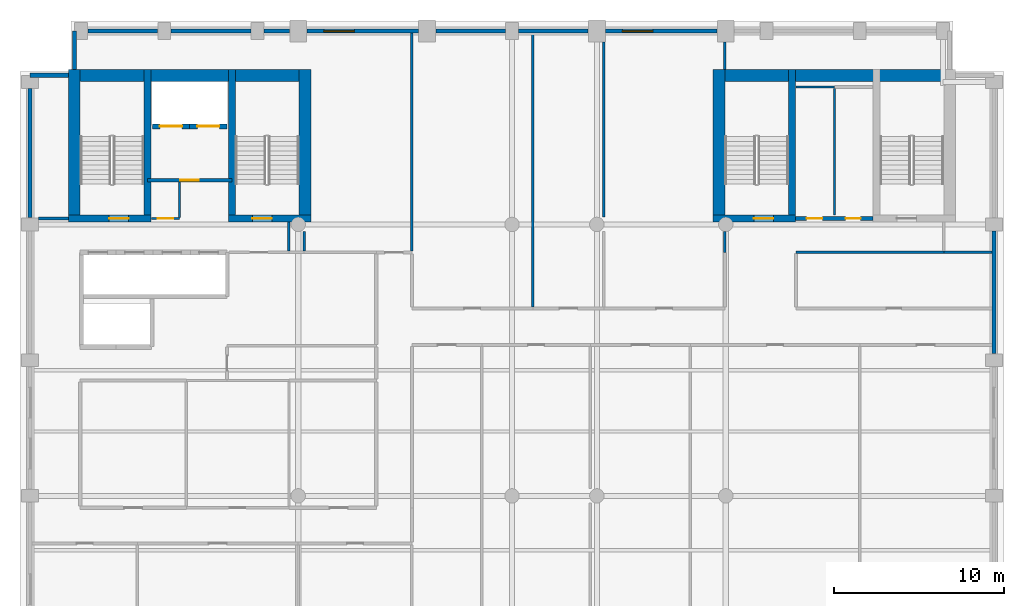
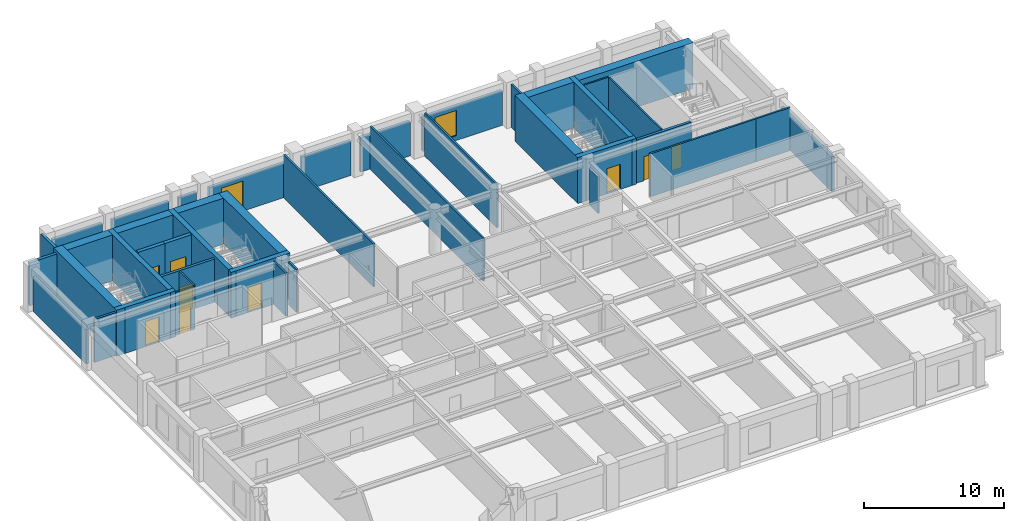
# One storey, part 5 of 8: 40 walls, 9 doors, 2 windows, 11 openings.
"""IFC4 building model written with IfcOpenShell, lengths in metres."""

import ifcopenshell
import ifcopenshell.guid

model = None  # the IFC model being written
_history = None  # IfcOwnerHistory: only IFC2X3 demands one
_inside = {}  # id of a spatial element -> (the spatial element, [elements in it])
_under = {}  # id of a project, library or spatial element -> (it, [spatial elements below it])
_declared = {}  # id of a project -> (the project, [libraries it declares])
_typed = {}  # id of a type object -> (the type object, [elements of that type])
_made_of = {}  # id of a material, layer set ... -> (it, [elements and type objects made of it])


def new_model(schema):
    """Start an empty IFC model of exactly this schema.

    Asked for "IFC4X3", IfcOpenShell would pick the latest addendum, in which some entities
    have other attributes; the version numbers below select the first issue.
    IFC2X3 requires an IfcOwnerHistory on every rooted entity: one is made here for all.
    """
    global model, _history
    if schema == "IFC4X3":
        model = ifcopenshell.file(schema_version=(4, 3, 0, 0))
    else:
        model = ifcopenshell.file(schema=schema)
    _inside.clear()
    _under.clear()
    _declared.clear()
    _typed.clear()
    _made_of.clear()
    _history = None
    if model.schema == "IFC2X3":
        org = make("IfcOrganization", Name="unknown")
        user = make(
            "IfcPersonAndOrganization",
            ThePerson=make("IfcPerson", FamilyName="unknown"),
            TheOrganization=org,
        )
        app = make(
            "IfcApplication",
            ApplicationDeveloper=org,
            Version="unknown",
            ApplicationFullName="unknown",
            ApplicationIdentifier="unknown",
        )
        _history = make(
            "IfcOwnerHistory",
            OwningUser=user,
            OwningApplication=app,
            ChangeAction="ADDED",
            CreationDate=0,
        )
    return model


def make(cls, **values):
    """One entity of the class cls with the attributes given. An attribute that is None is left unset."""
    return model.create_entity(
        cls, **{name: value for name, value in values.items() if value is not None}
    )


def rooted(cls, **values):
    """An entity with a GlobalId (a new one), such as an element, a storey or a relation."""
    return make(cls, GlobalId=ifcopenshell.guid.new(), OwnerHistory=_history, **values)


def si_unit(unit_type, name, prefix=None):
    """IfcSIUnit, for example si_unit("LENGTHUNIT", "METRE", prefix="MILLI")."""
    return make("IfcSIUnit", UnitType=unit_type, Prefix=prefix, Name=name)


def assignment(units):
    """IfcUnitAssignment: the units of a project."""
    return None if units is None else make("IfcUnitAssignment", Units=units)


def point(xyz):
    """IfcCartesianPoint."""
    return None if xyz is None else make("IfcCartesianPoint", Coordinates=xyz)


def direction(xyz):
    """IfcDirection."""
    return None if xyz is None else make("IfcDirection", DirectionRatios=xyz)


def frame(location, z_axis=None, x_axis=None):
    """IfcAxis2Placement3D, a coordinate frame: its origin and axes. An axis left out is left unset."""
    return make(
        "IfcAxis2Placement3D",
        Location=point(location),
        Axis=direction(z_axis),
        RefDirection=direction(x_axis),
    )


def frame_2d(location, x_axis=None):
    """IfcAxis2Placement2D, a coordinate frame in the plane: its origin and x axis."""
    return make(
        "IfcAxis2Placement2D", Location=point(location), RefDirection=direction(x_axis)
    )


def origin():
    """The frame at (0, 0, 0) with its axes left unset."""
    return frame((0.0, 0.0, 0.0))


def place(relative_to, where):
    """IfcLocalPlacement: puts the frame where relative to a parent placement (None: the world)."""
    return make(
        "IfcLocalPlacement", PlacementRelTo=relative_to, RelativePlacement=where
    )


def context(
    kind, dimensions, precision=None, world=None, true_north=None, identifier=None
):
    """IfcGeometricRepresentationContext, for example the 3D "Model" context."""
    return make(
        "IfcGeometricRepresentationContext",
        ContextIdentifier=identifier,
        ContextType=kind,
        CoordinateSpaceDimension=dimensions,
        Precision=precision,
        WorldCoordinateSystem=world,
        TrueNorth=true_north,
    )


def subcontext(parent, identifier, kind, view, scale=None):
    """IfcGeometricRepresentationSubContext, for example "Body" below "Model"."""
    return make(
        "IfcGeometricRepresentationSubContext",
        ContextIdentifier=identifier,
        ContextType=kind,
        ParentContext=parent,
        TargetScale=scale,
        TargetView=view,
    )


def project(units=None, contexts=None):
    """IfcProject with its units and contexts."""
    return rooted(
        "IfcProject",
        Name="project",
        RepresentationContexts=contexts,
        UnitsInContext=assignment(units),
    )


def spatial(cls, under=None, at=None, **own):
    """A site, building, storey or space (cls), placed at a placement, below another one or the project."""
    s = rooted(cls, ObjectPlacement=at, **own)
    if under is not None:
        _under.setdefault(under.id(), (under, []))[1].append(s)
    return s


def profile(cls, at=None, kind="AREA", **sizes):
    """A parametric profile (cls). Its sizes go by their IFC names, for example OverallWidth=200.0."""
    return make(cls, ProfileType=kind, Position=at, **sizes)


def rectangle(**sizes):
    """IfcRectangleProfileDef."""
    return profile("IfcRectangleProfileDef", **sizes)


def extrude(swept, where, along, depth):
    """IfcExtrudedAreaSolid: the profile swept, set in the frame where, extruded along a direction by depth."""
    return make(
        "IfcExtrudedAreaSolid",
        SweptArea=swept,
        Position=where,
        ExtrudedDirection=direction(along),
        Depth=depth,
    )


def shape(context_of_items, identifier, shape_type, items):
    """IfcShapeRepresentation: the items that make up one representation, for example the "Body"."""
    return make(
        "IfcShapeRepresentation",
        ContextOfItems=context_of_items,
        RepresentationIdentifier=identifier,
        RepresentationType=shape_type,
        Items=items,
    )


def material(Name=None, Category=None):
    """IfcMaterial."""
    return make("IfcMaterial", Name=Name, Category=Category)


def layer(
    of_material, thickness, ventilated=None, Name=None, Category=None, Priority=None
):
    """IfcMaterialLayer: one layer of a wall or slab, of a material (None: an air gap)."""
    return make(
        "IfcMaterialLayer",
        Material=of_material,
        LayerThickness=thickness,
        IsVentilated=ventilated,
        Name=Name,
        Category=Category,
        Priority=Priority,
    )


def layer_set(layers, Name=None):
    """IfcMaterialLayerSet."""
    return make("IfcMaterialLayerSet", MaterialLayers=layers, LayerSetName=Name)


def made_of(thing, what):
    """Note that an element or type object is made of a material, layer set ...; save() writes the relation."""
    if what is not None:
        _made_of.setdefault(what.id(), (what, []))[1].append(thing)
    return thing


def type_object(cls, material=None, **own):
    """A type object (cls), such as IfcWallType, which elements share."""
    return made_of(rooted(cls, **own), material)


def element(
    cls,
    number,
    at=None,
    inside=None,
    cuts=None,
    type_object=None,
    material=None,
    context=None,
    identifier="Body",
    shape_type=None,
    held_by="IfcProductDefinitionShape",
    body=None,
    shapes=None,
    **own,
):
    """One element of the class cls, such as IfcWall. Its Tag is "e" and its number.

    at: its placement. inside: the storey or other place that contains it. cuts: it is an
    opening in that element (IfcRelVoidsElement). A single representation is given by context,
    identifier, shape_type and body (its items); several are given by shapes. held_by: the class
    of the entity that holds the representations. save() writes the other relations.
    """
    e = rooted(cls, Tag="e%d" % number, ObjectPlacement=at, **own)
    if body is not None:
        shapes = [shape(context, identifier, shape_type, body)]
    if shapes is not None:
        e.Representation = make(held_by, Representations=shapes)
    if inside is not None:
        _inside.setdefault(inside.id(), (inside, []))[1].append(e)
    if cuts is not None:
        rooted(
            "IfcRelVoidsElement", RelatingBuildingElement=cuts, RelatedOpeningElement=e
        )
    if type_object is not None:
        _typed.setdefault(type_object.id(), (type_object, []))[1].append(e)
    return made_of(e, material)


def fill(opening, filler):
    """IfcRelFillsElement: the door or window that sits in an opening."""
    return rooted(
        "IfcRelFillsElement",
        RelatingOpeningElement=opening,
        RelatedBuildingElement=filler,
    )


def aggregate(whole, parts):
    """IfcRelAggregates: a whole, such as a stair, and the parts it consists of."""
    return rooted("IfcRelAggregates", RelatingObject=whole, RelatedObjects=parts)


def save(model, path):
    """Write the relations noted so far, then the file.

    IfcRelAggregates (storeys below a building ...), IfcRelContainedInSpatialStructure (elements
    in a storey), IfcRelDefinesByType, IfcRelAssociatesMaterial and IfcRelDeclares: one each for
    every whole, place, type object, material and project.
    """
    for whole, parts in _under.values():
        aggregate(whole, parts)
    for where, things in _inside.values():
        rooted(
            "IfcRelContainedInSpatialStructure",
            RelatedElements=things,
            RelatingStructure=where,
        )
    for kind, things in _typed.values():
        rooted("IfcRelDefinesByType", RelatedObjects=things, RelatingType=kind)
    for what, things in _made_of.values():
        rooted("IfcRelAssociatesMaterial", RelatedObjects=things, RelatingMaterial=what)
    for by, libraries in _declared.values():
        rooted("IfcRelDeclares", RelatingContext=by, RelatedDefinitions=libraries)
    model.write(path)


model = new_model("IFC4")

# Units and contexts
model_context = context("Model", 3, precision=1e-05, world=origin(), true_north=direction((0.0, 1.0)))
body_context = subcontext(model_context, "Body", "Model", "MODEL_VIEW")
ifc_project = project(units=[si_unit("LENGTHUNIT", "METRE"), si_unit("AREAUNIT", "SQUARE_METRE"), si_unit("VOLUMEUNIT", "CUBIC_METRE"), si_unit("PLANEANGLEUNIT", "RADIAN"), si_unit("MASSUNIT", "GRAM", prefix="KILO")], contexts=[model_context])

# Site, building, storey
site_placement = place(None, origin())
site = spatial("IfcSite", under=ifc_project, at=site_placement, CompositionType="ELEMENT")
building_placement = place(site_placement, origin())
building = spatial("IfcBuilding", under=site, at=building_placement, Name="Sulina Concourse Tower", CompositionType="ELEMENT")
storey_placement = place(building_placement, frame((0.0, 0.0, 264.60009765625)))
storey = spatial("IfcBuildingStorey", under=building, at=storey_placement, Name="L64", CompositionType="ELEMENT", Elevation=264.60009765625)

# Wall, opening, door
ifc_material_1 = material(Name="Concrete C50/60", Category="concrete")
ifc_layer_1 = layer(ifc_material_1, 0.300048828125)
ifc_layer_set_1 = layer_set([ifc_layer_1], Name="Concrete C50/60")
wall_type_1 = type_object("IfcWallType", Name="Core Lift Hoistway Wall 300mm", PredefinedType="SOLIDWALL", material=ifc_layer_set_1)
wall_1_placement = place(storey_placement, frame((10.0, 39.780029296875, 0.0), z_axis=(0.0, 0.0, 1.0), x_axis=(-1.0, 0.0, 0.0)))
wall_1 = element("IfcWall", 1, at=wall_1_placement, inside=storey, type_object=wall_type_1, Name="L64 hoistway enclosure wall FFL-1", PredefinedType="SOLIDWALL", context=body_context, shape_type="SweptSolid", body=[
    extrude(rectangle(XDim=2.199951171875, YDim=0.300048828125, at=frame_2d((1.10009765625, 0.0))), origin(), (0.0, 0.0, 1.0), 4.0),
])
opening_1_placement = place(wall_1_placement, frame((0.449951171875, 0.0, 0.0)))
opening_1 = element("IfcOpeningElement", 2, at=opening_1_placement, cuts=wall_1, Name="Opening LD-02", PredefinedType="OPENING", context=body_context, shape_type="SweptSolid", body=[
    extrude(rectangle(XDim=1.300048828125, YDim=2.25, at=frame_2d((0.64990234375, 1.125))), frame((0.0, 0.159912109375, 0.0), z_axis=(0.0, -1.0, 0.0), x_axis=(1.0, 0.0, 0.0)), (0.0, 0.0, 1.0), 0.320068359375),
])
ifc_material_2 = material(Name="Stainless steel lift landing door", Category="steel")
ifc_layer_2 = layer(ifc_material_2, 0.050048828125)
ifc_layer_set_2 = layer_set([ifc_layer_2], Name="Stainless steel lift landing door")
door_type_1 = type_object("IfcDoorType", Name="Firefighting Lift Sliding Landing Door 1300x2250", OperationType="SLIDING_TO_RIGHT", PredefinedType="DOOR", material=ifc_layer_set_2)
door_1_placement = place(opening_1_placement, origin())
door_1 = element("IfcDoor", 3, at=door_1_placement, inside=storey, type_object=door_type_1, Name="L64 lift landing sliding door FFL-1", OperationType="SLIDING_TO_LEFT", OverallHeight=2.25, OverallWidth=1.300048828125, PredefinedType="DOOR", context=body_context, shape_type="SweptSolid", body=[
    extrude(rectangle(XDim=1.300048828125, YDim=2.25, at=frame_2d((0.64990234375, 1.125))), frame((0.0, 0.02490234375, 0.0), z_axis=(0.0, -1.0, 0.0), x_axis=(1.0, 0.0, 0.0)), (0.0, 0.0, 1.0), 0.050048828125),
])
fill(opening_1, door_1)

wall_2_placement = place(storey_placement, frame((12.199951171875, 39.780029296875, 0.0), z_axis=(0.0, 0.0, 1.0), x_axis=(-1.0, 0.0, 0.0)))
wall_2 = element("IfcWall", 4, at=wall_2_placement, inside=storey, type_object=wall_type_1, Name="L64 hoistway enclosure wall FFL-2", PredefinedType="SOLIDWALL", context=body_context, shape_type="SweptSolid", body=[
    extrude(rectangle(XDim=2.199951171875, YDim=0.300048828125, at=frame_2d((1.10009765625, 0.0))), origin(), (0.0, 0.0, 1.0), 4.0),
])
opening_2_placement = place(wall_2_placement, frame((0.449951171875, 0.0, 0.0)))
opening_2 = element("IfcOpeningElement", 5, at=opening_2_placement, cuts=wall_2, Name="Opening LD-02", PredefinedType="OPENING", context=body_context, shape_type="SweptSolid", body=[
    extrude(rectangle(XDim=1.300048828125, YDim=2.25, at=frame_2d((0.64990234375, 1.125))), frame((0.0, 0.159912109375, 0.0), z_axis=(0.0, -1.0, 0.0), x_axis=(1.0, 0.0, 0.0)), (0.0, 0.0, 1.0), 0.320068359375),
])
door_2_placement = place(opening_2_placement, origin())
door_2 = element("IfcDoor", 6, at=door_2_placement, inside=storey, type_object=door_type_1, Name="L64 lift landing sliding door FFL-2", OperationType="SLIDING_TO_RIGHT", OverallHeight=2.25, OverallWidth=1.300048828125, PredefinedType="DOOR", context=body_context, shape_type="SweptSolid", body=[
    extrude(rectangle(XDim=1.300048828125, YDim=2.25, at=frame_2d((0.64990234375, 1.125))), frame((0.0, 0.02490234375, 0.0), z_axis=(0.0, -1.0, 0.0), x_axis=(1.0, 0.0, 0.0)), (0.0, 0.0, 1.0), 0.050048828125),
])
fill(opening_2, door_2)

# Walls
ifc_material_3 = material(Name="Precast concrete C50/60", Category="concrete")
ifc_layer_3 = layer(ifc_material_3, 0.239990234375)
ifc_layer_set_3 = layer_set([ifc_layer_3], Name="Precast concrete C50/60")
wall_type_2 = type_object("IfcWallType", Name="Crown Precast Masonry-Frame Facade Wall 240mm", PredefinedType="SOLIDWALL", material=ifc_layer_set_3)
wall_3_placement = place(storey_placement, frame((0.60009765625, 34.39501953125, 0.0), z_axis=(0.0, 0.0, 1.0), x_axis=(0.0, 1.0, 0.0)))
element("IfcWall", 7, at=wall_3_placement, inside=storey, type_object=wall_type_2, Name="L64 exterior precast wall W5", PredefinedType="SOLIDWALL", context=body_context, shape_type="SweptSolid", body=[
    extrude(rectangle(XDim=7.60986328125, YDim=0.239990234375, at=frame_2d((3.804931640625, 0.0))), origin(), (0.0, 0.0, 1.0), 3.0),
])
wall_4_placement = place(storey_placement, frame((3.9951171875, 45.39990234375, 0.0), z_axis=(0.0, 0.0, 1.0), x_axis=(1.0, 0.0, 0.0)))
element("IfcWall", 8, at=wall_4_placement, inside=storey, type_object=wall_type_2, Name="L64 exterior precast wall N1", PredefinedType="SOLIDWALL", context=body_context, shape_type="SweptSolid", body=[
    extrude(rectangle(XDim=4.10986328125, YDim=0.239990234375, at=frame_2d((2.054931640625, 0.0))), origin(), (0.0, 0.0, 1.0), 3.0),
])
wall_5_placement = place(storey_placement, frame((8.89501953125, 45.39990234375, 0.0), z_axis=(0.0, 0.0, 1.0), x_axis=(1.0, 0.0, 0.0)))
element("IfcWall", 9, at=wall_5_placement, inside=storey, type_object=wall_type_2, Name="L64 exterior precast wall N2", PredefinedType="SOLIDWALL", context=body_context, shape_type="SweptSolid", body=[
    extrude(rectangle(XDim=4.7099609375, YDim=0.239990234375, at=frame_2d((2.35498046875, 0.0))), origin(), (0.0, 0.0, 1.0), 3.0),
])
wall_6_placement = place(storey_placement, frame((14.39501953125, 45.39990234375, 0.0), z_axis=(0.0, 0.0, 1.0), x_axis=(1.0, 0.0, 0.0)))
element("IfcWall", 10, at=wall_6_placement, inside=storey, type_object=wall_type_2, Name="L64 exterior precast wall N3", PredefinedType="SOLIDWALL", context=body_context, shape_type="SweptSolid", body=[
    extrude(rectangle(XDim=1.48486328125, YDim=0.239990234375, at=frame_2d((0.742431640625, 0.0))), origin(), (0.0, 0.0, 1.0), 3.0),
])

# Wall, opening, window
wall_7_placement = place(storey_placement, frame((16.919921875, 45.39990234375, 0.0), z_axis=(0.0, 0.0, 1.0), x_axis=(1.0, 0.0, 0.0)))
wall_7 = element("IfcWall", 11, at=wall_7_placement, inside=storey, type_object=wall_type_2, Name="L64 exterior precast wall N4", PredefinedType="SOLIDWALL", context=body_context, shape_type="SweptSolid", body=[
    extrude(rectangle(XDim=6.56005859375, YDim=0.239990234375, at=frame_2d((3.280029296875, 0.0))), origin(), (0.0, 0.0, 1.0), 3.0),
])
opening_3_placement = place(wall_7_placement, frame((0.98681640625, 0.0, 0.419921875)))
opening_3 = element("IfcOpeningElement", 12, at=opening_3_placement, cuts=wall_7, Name="Opening WN-25", PredefinedType="OPENING", context=body_context, shape_type="SweptSolid", body=[
    extrude(rectangle(XDim=1.800048828125, YDim=2.199951171875, at=frame_2d((0.89990234375, 1.10009765625))), frame((0.0, 0.1298828125, 0.0), z_axis=(0.0, -1.0, 0.0), x_axis=(1.0, 0.0, 0.0)), (0.0, 0.0, 1.0), 0.260009765625),
])
ifc_material_4 = material(Name="Low-E solar double glazing in bronze aluminium", Category="aluminium")
window_type = type_object("IfcWindowType", Name="Punched Masonry-Frame Window 1800x2200", PartitioningType="SINGLE_PANEL", PredefinedType="WINDOW", material=ifc_material_4)
window_1_placement = place(opening_3_placement, origin())
window_1 = element("IfcWindow", 13, at=window_1_placement, inside=storey, type_object=window_type, Name="L64 punched window N4-1", OverallHeight=2.199951171875, OverallWidth=1.800048828125, PartitioningType="SINGLE_PANEL", PredefinedType="WINDOW", context=body_context, shape_type="SweptSolid", body=[
    extrude(rectangle(XDim=1.800048828125, YDim=2.199951171875, at=frame_2d((0.89990234375, 1.10009765625))), frame((0.0, 0.030029296875, 0.0), z_axis=(0.0, -1.0, 0.0), x_axis=(1.0, 0.0, 0.0)), (0.0, 0.0, 1.0), 0.06005859375),
])
fill(opening_3, window_1)

# Walls
for number, where, z_axis, x_axis, name in (
    (14, (24.52001953125, 45.39990234375, 0.0), (0.0, 0.0, 1.0), (1.0, 0.0, 0.0), "L64 exterior precast wall N5"),
    (15, (29.39501953125, 45.39990234375, 0.0), (0.0, 0.0, 1.0), (1.0, 0.0, 0.0), "L64 exterior precast wall N6"),
):
    element("IfcWall", number, at=place(storey_placement, frame(where, z_axis=z_axis, x_axis=x_axis)), inside=storey, type_object=wall_type_2, Name=name, PredefinedType="SOLIDWALL", context=body_context, shape_type="SweptSolid", body=[
        extrude(rectangle(XDim=4.0849609375, YDim=0.239990234375, at=frame_2d((2.04248046875, 0.0))), origin(), (0.0, 0.0, 1.0), 3.0),
    ])

# Wall, opening, window
wall_8_placement = place(storey_placement, frame((34.52001953125, 45.39990234375, 0.0), z_axis=(0.0, 0.0, 1.0), x_axis=(1.0, 0.0, 0.0)))
wall_8 = element("IfcWall", 16, at=wall_8_placement, inside=storey, type_object=wall_type_2, Name="L64 exterior precast wall N7", PredefinedType="SOLIDWALL", context=body_context, shape_type="SweptSolid", body=[
    extrude(rectangle(XDim=6.56005859375, YDim=0.239990234375, at=frame_2d((3.280029296875, 0.0))), origin(), (0.0, 0.0, 1.0), 3.0),
])
opening_4_placement = place(wall_8_placement, frame((0.98681640625, 0.0, 0.419921875)))
opening_4 = element("IfcOpeningElement", 17, at=opening_4_placement, cuts=wall_8, Name="Opening WN-25", PredefinedType="OPENING", context=body_context, shape_type="SweptSolid", body=[
    extrude(rectangle(XDim=1.800048828125, YDim=2.199951171875, at=frame_2d((0.89990234375, 1.10009765625))), frame((0.0, 0.1298828125, 0.0), z_axis=(0.0, -1.0, 0.0), x_axis=(1.0, 0.0, 0.0)), (0.0, 0.0, 1.0), 0.260009765625),
])
window_2_placement = place(opening_4_placement, origin())
window_2 = element("IfcWindow", 18, at=window_2_placement, inside=storey, type_object=window_type, Name="L64 punched window N7-1", OverallHeight=2.199951171875, OverallWidth=1.800048828125, PartitioningType="SINGLE_PANEL", PredefinedType="WINDOW", context=body_context, shape_type="SweptSolid", body=[
    extrude(rectangle(XDim=1.800048828125, YDim=2.199951171875, at=frame_2d((0.89990234375, 1.10009765625))), frame((0.0, 0.030029296875, 0.0), z_axis=(0.0, -1.0, 0.0), x_axis=(1.0, 0.0, 0.0)), (0.0, 0.0, 1.0), 0.06005859375),
])
fill(opening_4, window_2)

# Walls
wall_9_placement = place(storey_placement, frame((57.39990234375, 33.60498046875, 0.0), z_axis=(0.0, 0.0, 1.0), x_axis=(0.0, -1.0, 0.0)))
element("IfcWall", 19, at=wall_9_placement, inside=storey, type_object=wall_type_2, Name="L64 exterior precast wall E4", PredefinedType="SOLIDWALL", context=body_context, shape_type="SweptSolid", body=[
    extrude(rectangle(XDim=7.2099609375, YDim=0.239990234375, at=frame_2d((3.60498046875, 0.0))), origin(), (0.0, 0.0, 1.0), 3.0),
])
wall_10_placement = place(storey_placement, frame((0.60009765625, 42.794921875, 0.0), z_axis=(0.0, 0.0, 1.0), x_axis=(1.0, 0.0, 0.0)))
element("IfcWall", 20, at=wall_10_placement, inside=storey, type_object=wall_type_2, Name="L64 exterior precast wall CNW1", PredefinedType="SOLIDWALL", context=body_context, shape_type="SweptSolid", body=[
    extrude(rectangle(XDim=2.244873046875, YDim=0.239990234375, at=frame_2d((1.12255859375, 0.0))), origin(), (0.0, 0.0, 1.0), 3.75),
])
wall_11_placement = place(storey_placement, frame((3.205078125, 43.135009765625, 0.0), z_axis=(0.0, 0.0, 1.0), x_axis=(0.0, 1.0, 0.0)))
element("IfcWall", 21, at=wall_11_placement, inside=storey, type_object=wall_type_2, Name="L64 exterior precast wall CNW2", PredefinedType="SOLIDWALL", context=body_context, shape_type="SweptSolid", body=[
    extrude(rectangle(XDim=2.264892578125, YDim=0.239990234375, at=frame_2d((1.13232421875, 0.0))), origin(), (0.0, 0.0, 1.0), 3.75),
])

# Wall, opening, door
ifc_material_5 = material(Name="Gypsum board on steel stud", Category="steel")
ifc_layer_4 = layer(ifc_material_5, 0.219970703125)
ifc_layer_set_4 = layer_set([ifc_layer_4], Name="Gypsum board on steel stud")
wall_type_3 = type_object("IfcWallType", Name="Fire-Rated Lobby & Compartment Wall 220mm", PredefinedType="PARTITIONING", material=ifc_layer_set_4)
wall_12_placement = place(storey_placement, frame((7.510009765625, 36.60009765625, 0.0), z_axis=(0.0, 0.0, 1.0), x_axis=(1.0, 0.0, 0.0)))
wall_12 = element("IfcWall", 22, at=wall_12_placement, inside=storey, type_object=wall_type_3, Name="L64 firefighting lobby south fire wall", PredefinedType="PARTITIONING", context=body_context, shape_type="SweptSolid", body=[
    extrude(rectangle(XDim=4.97998046875, YDim=0.219970703125, at=frame_2d((2.489990234375, 0.0))), origin(), (0.0, 0.0, 1.0), 3.75),
])
opening_5_placement = place(wall_12_placement, frame((1.93994140625, 0.0, 0.0)))
opening_5 = element("IfcOpeningElement", 23, at=opening_5_placement, cuts=wall_12, Name="Opening DR-47", PredefinedType="OPENING", context=body_context, shape_type="SweptSolid", body=[
    extrude(rectangle(XDim=1.10009765625, YDim=2.199951171875, at=frame_2d((0.550048828125, 1.10009765625))), frame((0.0, 0.119873046875, 0.0), z_axis=(0.0, -1.0, 0.0), x_axis=(1.0, 0.0, 0.0)), (0.0, 0.0, 1.0), 0.239990234375),
])
ifc_material_6 = material(Name="Galvanised steel acoustic fire leaf", Category="steel")
ifc_layer_5 = layer(ifc_material_6, 0.054931640625)
ifc_layer_set_5 = layer_set([ifc_layer_5], Name="Galvanised steel acoustic fire leaf")
door_type_2 = type_object("IfcDoorType", Name="Firefighting Lobby Fire Door 1100x2200", OperationType="NOTDEFINED", PredefinedType="DOOR", material=ifc_layer_set_5)
door_3_placement = place(opening_5_placement, origin())
door_3 = element("IfcDoor", 24, at=door_3_placement, inside=storey, type_object=door_type_2, Name="L64 firefighting lobby fire door", OperationType="SINGLE_SWING_LEFT", OverallHeight=2.199951171875, OverallWidth=1.10009765625, PredefinedType="DOOR", context=body_context, shape_type="SweptSolid", body=[
    extrude(rectangle(XDim=1.10009765625, YDim=2.199951171875, at=frame_2d((0.550048828125, 1.10009765625))), frame((0.0, 0.02490234375, 0.0), z_axis=(0.0, -1.0, 0.0), x_axis=(1.0, 0.0, 0.0)), (0.0, 0.0, 1.0), 0.050048828125),
])
fill(opening_5, door_3)

# Wall, openings, doors
wall_13_placement = place(storey_placement, frame((45.719970703125, 34.35009765625, 0.0), z_axis=(0.0, 0.0, 1.0), x_axis=(1.0, 0.0, 0.0)))
wall_13 = element("IfcWall", 25, at=wall_13_placement, inside=storey, type_object=wall_type_3, Name="L64 east core south lobby wall", PredefinedType="PARTITIONING", context=body_context, shape_type="SweptSolid", body=[
    extrude(rectangle(XDim=4.56005859375, YDim=0.219970703125, at=frame_2d((2.280029296875, 0.0))), origin(), (0.0, 0.0, 1.0), 3.75),
])
opening_6_placement = place(wall_13_placement, frame((0.64990234375, 0.0, 0.0)))
opening_6 = element("IfcOpeningElement", 26, at=opening_6_placement, cuts=wall_13, Name="Opening DR-61", PredefinedType="OPENING", context=body_context, shape_type="SweptSolid", body=[
    extrude(rectangle(XDim=0.919921875, YDim=2.10009765625, at=frame_2d((0.4599609375, 1.050048828125))), frame((0.0, 0.119873046875, 0.0), z_axis=(0.0, -1.0, 0.0), x_axis=(1.0, 0.0, 0.0)), (0.0, 0.0, 1.0), 0.239990234375),
])
opening_7_placement = place(wall_13_placement, frame((2.949951171875, 0.0, 0.0)))
opening_7 = element("IfcOpeningElement", 27, at=opening_7_placement, cuts=wall_13, Name="Opening DR-38", PredefinedType="OPENING", context=body_context, shape_type="SweptSolid", body=[
    extrude(rectangle(XDim=0.8798828125, YDim=2.10009765625, at=frame_2d((0.43994140625, 1.050048828125))), frame((0.0, 0.119873046875, 0.0), z_axis=(0.0, -1.0, 0.0), x_axis=(1.0, 0.0, 0.0)), (0.0, 0.0, 1.0), 0.239990234375),
])
ifc_material_7 = material(Name="Oak-veneered fire door leaf")
ifc_layer_6 = layer(ifc_material_7, 0.050048828125)
ifc_layer_set_6 = layer_set([ifc_layer_6], Name="Oak-veneered fire door leaf")
door_type_3 = type_object("IfcDoorType", Name="Accessible WC Door 920x2100", OperationType="NOTDEFINED", PredefinedType="DOOR", material=ifc_layer_set_6)
door_4_placement = place(opening_6_placement, origin())
door_4 = element("IfcDoor", 28, at=door_4_placement, inside=storey, type_object=door_type_3, Name="L64 east core accessible wc door", OperationType="SINGLE_SWING_LEFT", OverallHeight=2.10009765625, OverallWidth=0.919921875, PredefinedType="DOOR", context=body_context, shape_type="SweptSolid", body=[
    extrude(rectangle(XDim=0.919921875, YDim=2.10009765625, at=frame_2d((0.4599609375, 1.050048828125))), frame((0.0, 0.02490234375, 0.0), z_axis=(0.0, -1.0, 0.0), x_axis=(1.0, 0.0, 0.0)), (0.0, 0.0, 1.0), 0.050048828125),
])
fill(opening_6, door_4)
ifc_material_8 = material(Name="Galvanised steel acoustic fire leaf", Category="steel")
ifc_layer_7 = layer(ifc_material_8, 0.050048828125)
ifc_layer_set_7 = layer_set([ifc_layer_7], Name="Galvanised steel acoustic fire leaf")
door_type_4 = type_object("IfcDoorType", Name="Service Riser Fire Door 880x2100", OperationType="NOTDEFINED", PredefinedType="DOOR", material=ifc_layer_set_7)
door_5_placement = place(opening_7_placement, origin())
door_5 = element("IfcDoor", 29, at=door_5_placement, inside=storey, type_object=door_type_4, Name="L64 east core store door", OperationType="SINGLE_SWING_RIGHT", OverallHeight=2.10009765625, OverallWidth=0.8798828125, PredefinedType="DOOR", context=body_context, shape_type="SweptSolid", body=[
    extrude(rectangle(XDim=0.8798828125, YDim=2.10009765625, at=frame_2d((0.43994140625, 1.050048828125))), frame((0.0, 0.02490234375, 0.0), z_axis=(0.0, -1.0, 0.0), x_axis=(1.0, 0.0, 0.0)), (0.0, 0.0, 1.0), 0.050048828125),
])
fill(opening_7, door_5)

# Walls
ifc_material_9 = material(Name="Gypsum board on steel stud", Category="steel")
ifc_layer_8 = layer(ifc_material_9, 0.14990234375)
ifc_layer_set_8 = layer_set([ifc_layer_8], Name="Gypsum board on steel stud")
wall_type_4 = type_object("IfcWallType", Name="Inter-Tenancy Acoustic Partition 150mm", PredefinedType="PARTITIONING", material=ifc_layer_set_8)
wall_14_placement = place(storey_placement, frame((45.75, 32.35009765625, 0.0), z_axis=(0.0, 0.0, 1.0), x_axis=(1.0, 0.0, 0.0)))
element("IfcWall", 30, at=wall_14_placement, inside=storey, type_object=wall_type_4, Name="L64 interior partition 025", PredefinedType="PARTITIONING", context=body_context, shape_type="SweptSolid", body=[
    extrude(rectangle(XDim=8.699951171875, YDim=0.14990234375, at=frame_2d((4.35009765625, 0.0))), origin(), (0.0, 0.0, 1.0), 3.75),
])
wall_15_placement = place(storey_placement, frame((54.449951171875, 32.35009765625, 0.0), z_axis=(0.0, 0.0, 1.0), x_axis=(1.0, 0.0, 0.0)))
element("IfcWall", 31, at=wall_15_placement, inside=storey, type_object=wall_type_4, Name="L64 interior partition 026", PredefinedType="PARTITIONING", context=body_context, shape_type="SweptSolid", body=[
    extrude(rectangle(XDim=2.830078125, YDim=0.14990234375, at=frame_2d((1.4150390625, 0.0))), origin(), (0.0, 0.0, 1.0), 3.75),
])
wall_16_placement = place(storey_placement, frame((15.85009765625, 32.425048828125, 0.0), z_axis=(0.0, 0.0, 1.0), x_axis=(0.0, 1.0, 0.0)))
element("IfcWall", 32, at=wall_16_placement, inside=storey, type_object=wall_type_4, Name="L64 interior partition 037", PredefinedType="PARTITIONING", context=body_context, shape_type="SweptSolid", body=[
    extrude(rectangle(XDim=1.724853515625, YDim=0.14990234375, at=frame_2d((0.8623046875, 0.0))), origin(), (0.0, 0.0, 1.0), 3.75),
])
wall_17_placement = place(storey_placement, frame((16.75, 32.425048828125, 0.0), z_axis=(0.0, 0.0, 1.0), x_axis=(0.0, 1.0, 0.0)))
element("IfcWall", 33, at=wall_17_placement, inside=storey, type_object=wall_type_4, Name="L64 interior partition 039", PredefinedType="PARTITIONING", context=body_context, shape_type="SweptSolid", body=[
    extrude(rectangle(XDim=1.14990234375, YDim=0.14990234375, at=frame_2d((0.574951171875, 0.0))), origin(), (0.0, 0.0, 1.0), 3.75),
])
wall_18_placement = place(storey_placement, frame((23.10009765625, 32.43994140625, 0.0), z_axis=(0.0, 0.0, 1.0), x_axis=(0.0, 1.0, 0.0)))
element("IfcWall", 34, at=wall_18_placement, inside=storey, type_object=wall_type_4, Name="L64 interior partition 047", PredefinedType="PARTITIONING", context=body_context, shape_type="SweptSolid", body=[
    extrude(rectangle(XDim=12.840087890625, YDim=0.14990234375, at=frame_2d((6.419921875, 0.0))), origin(), (0.0, 0.0, 1.0), 3.75),
])
wall_19_placement = place(storey_placement, frame((30.22998046875, 29.139892578125, 0.0), z_axis=(0.0, 0.0, 1.0), x_axis=(0.0, 1.0, 0.0)))
element("IfcWall", 35, at=wall_19_placement, inside=storey, type_object=wall_type_4, Name="L64 interior partition 049", PredefinedType="PARTITIONING", context=body_context, shape_type="SweptSolid", body=[
    extrude(rectangle(XDim=16.14013671875, YDim=0.14990234375, at=frame_2d((8.070068359375, 0.0))), origin(), (0.0, 0.0, 1.0), 3.75),
])
wall_20_placement = place(storey_placement, frame((34.419921875, 34.425048828125, 0.0), z_axis=(0.0, 0.0, 1.0), x_axis=(0.0, 1.0, 0.0)))
element("IfcWall", 36, at=wall_20_placement, inside=storey, type_object=wall_type_4, Name="L64 interior partition 053", PredefinedType="PARTITIONING", context=body_context, shape_type="SweptSolid", body=[
    extrude(rectangle(XDim=10.324951171875, YDim=0.14990234375, at=frame_2d((5.16259765625, 0.0))), origin(), (0.0, 0.0, 1.0), 3.75),
])
wall_21_placement = place(storey_placement, frame((41.550048828125, 32.35009765625, 0.0), z_axis=(0.0, 0.0, 1.0), x_axis=(0.0, 1.0, 0.0)))
element("IfcWall", 37, at=wall_21_placement, inside=storey, type_object=wall_type_4, Name="L64 interior partition 056", PredefinedType="PARTITIONING", context=body_context, shape_type="SweptSolid", body=[
    extrude(rectangle(XDim=1.224853515625, YDim=0.14990234375, at=frame_2d((0.6123046875, 0.0))), origin(), (0.0, 0.0, 1.0), 3.19482421875),
])
wall_22_placement = place(storey_placement, frame((41.550048828125, 43.1298828125, 0.0), z_axis=(0.0, 0.0, 1.0), x_axis=(0.0, 1.0, 0.0)))
element("IfcWall", 38, at=wall_22_placement, inside=storey, type_object=wall_type_4, Name="L64 interior partition 057", PredefinedType="PARTITIONING", context=body_context, shape_type="SweptSolid", body=[
    extrude(rectangle(XDim=1.6201171875, YDim=0.14990234375, at=frame_2d((0.81005859375, 0.0))), origin(), (0.0, 0.0, 1.0), 3.75),
])
ifc_material_10 = material(Name="Gypsum board on steel stud", Category="steel")
ifc_layer_9 = layer(ifc_material_10, 0.179931640625)
ifc_layer_set_9 = layer_set([ifc_layer_9], Name="Gypsum board on steel stud")
wall_type_5 = type_object("IfcWallType", Name="Protected Corridor & Riser Partition 180mm", PredefinedType="PARTITIONING", material=ifc_layer_set_9)
wall_23_placement = place(storey_placement, frame((1.10009765625, 34.35009765625, 0.0), z_axis=(0.0, 0.0, 1.0), x_axis=(1.0, 0.0, 0.0)))
element("IfcWall", 39, at=wall_23_placement, inside=storey, type_object=wall_type_5, Name="L64 interior partition 027", PredefinedType="PARTITIONING", context=body_context, shape_type="SweptSolid", body=[
    extrude(rectangle(XDim=1.75, YDim=0.179931640625, at=frame_2d((0.875, 0.0))), origin(), (0.0, 0.0, 1.0), 3.75),
])

# Wall, opening, door
ifc_material_11 = material(Name="Concrete C60/75", Category="concrete")
ifc_layer_10 = layer(ifc_material_11, 0.39990234375)
ifc_layer_set_10 = layer_set([ifc_layer_10], Name="Concrete C60/75")
wall_type_6 = type_object("IfcWallType", Name="Protected Stair Core Shear Wall 400mm", PredefinedType="SHEAR", material=ifc_layer_set_10)
wall_24_placement = place(storey_placement, frame((2.85009765625, 34.35009765625, 0.0), z_axis=(0.0, 0.0, 1.0), x_axis=(1.0, 0.0, 0.0)))
wall_24 = element("IfcWall", 40, at=wall_24_placement, inside=storey, type_object=wall_type_6, Name="L64 west core shear wall CW-WS1", PredefinedType="SHEAR", context=body_context, shape_type="SweptSolid", body=[
    extrude(rectangle(XDim=4.85986328125, YDim=0.39990234375, at=frame_2d((2.429931640625, 0.0))), origin(), (0.0, 0.0, 1.0), 4.0),
])
opening_8_placement = place(wall_24_placement, frame((2.39990234375, 0.0, 0.0)))
opening_8 = element("IfcOpeningElement", 41, at=opening_8_placement, cuts=wall_24, Name="Opening DR-60", PredefinedType="OPENING", context=body_context, shape_type="SweptSolid", body=[
    extrude(rectangle(XDim=1.14990234375, YDim=2.199951171875, at=frame_2d((0.574951171875, 1.10009765625))), frame((0.0, 0.2099609375, 0.0), z_axis=(0.0, -1.0, 0.0), x_axis=(1.0, 0.0, 0.0)), (0.0, 0.0, 1.0), 0.419921875),
])
ifc_material_12 = material(Name="Galvanised steel acoustic fire leaf", Category="steel")
ifc_layer_11 = layer(ifc_material_12, 0.054931640625)
ifc_layer_set_11 = layer_set([ifc_layer_11], Name="Galvanised steel acoustic fire leaf")
door_type_5 = type_object("IfcDoorType", Name="Protected Exit Stair Fire Door 1150x2200", OperationType="NOTDEFINED", PredefinedType="DOOR", material=ifc_layer_set_11)
door_6_placement = place(opening_8_placement, origin())
door_6 = element("IfcDoor", 42, at=door_6_placement, inside=storey, type_object=door_type_5, Name="L64 stair ST-1 lobby fire door", OperationType="SINGLE_SWING_LEFT", OverallHeight=2.199951171875, OverallWidth=1.14990234375, PredefinedType="DOOR", context=body_context, shape_type="SweptSolid", body=[
    extrude(rectangle(XDim=1.14990234375, YDim=2.199951171875, at=frame_2d((0.574951171875, 1.10009765625))), frame((0.0, 0.02490234375, 0.0), z_axis=(0.0, -1.0, 0.0), x_axis=(1.0, 0.0, 0.0)), (0.0, 0.0, 1.0), 0.050048828125),
])
fill(opening_8, door_6)

wall_25_placement = place(storey_placement, frame((12.2900390625, 34.35009765625, 0.0), z_axis=(0.0, 0.0, 1.0), x_axis=(1.0, 0.0, 0.0)))
wall_25 = element("IfcWall", 43, at=wall_25_placement, inside=storey, type_object=wall_type_6, Name="L64 west core shear wall CW-WS2", PredefinedType="SHEAR", context=body_context, shape_type="SweptSolid", body=[
    extrude(rectangle(XDim=4.85986328125, YDim=0.39990234375, at=frame_2d((2.429931640625, 0.0))), origin(), (0.0, 0.0, 1.0), 4.0),
])
opening_9_placement = place(wall_25_placement, frame((1.39990234375, 0.0, 0.0)))
opening_9 = element("IfcOpeningElement", 44, at=opening_9_placement, cuts=wall_25, Name="Opening DR-60", PredefinedType="OPENING", context=body_context, shape_type="SweptSolid", body=[
    extrude(rectangle(XDim=1.14990234375, YDim=2.199951171875, at=frame_2d((0.574951171875, 1.10009765625))), frame((0.0, 0.2099609375, 0.0), z_axis=(0.0, -1.0, 0.0), x_axis=(1.0, 0.0, 0.0)), (0.0, 0.0, 1.0), 0.419921875),
])
door_7_placement = place(opening_9_placement, origin())
door_7 = element("IfcDoor", 45, at=door_7_placement, inside=storey, type_object=door_type_5, Name="L64 stair ST-2 lobby fire door", OperationType="SINGLE_SWING_RIGHT", OverallHeight=2.199951171875, OverallWidth=1.14990234375, PredefinedType="DOOR", context=body_context, shape_type="SweptSolid", body=[
    extrude(rectangle(XDim=1.14990234375, YDim=2.199951171875, at=frame_2d((0.574951171875, 1.10009765625))), frame((0.0, 0.02490234375, 0.0), z_axis=(0.0, -1.0, 0.0), x_axis=(1.0, 0.0, 0.0)), (0.0, 0.0, 1.0), 0.050048828125),
])
fill(opening_9, door_7)

# Walls
for number, where, z_axis, x_axis, name in (
    (46, (7.510009765625, 34.14990234375, 0.0), (0.0, 0.0, 1.0), (0.0, 1.0, 0.0), "L64 west core shear wall SW-ST1"),
    (47, (12.489990234375, 34.14990234375, 0.0), (0.0, 0.0, 1.0), (0.0, 1.0, 0.0), "L64 west core shear wall SW-ST2"),
):
    element("IfcWall", number, at=place(storey_placement, frame(where, z_axis=z_axis, x_axis=x_axis)), inside=storey, type_object=wall_type_6, Name=name, PredefinedType="SHEAR", context=body_context, shape_type="SweptSolid", body=[
        extrude(rectangle(XDim=8.97998046875, YDim=0.39990234375, at=frame_2d((4.489990234375, 0.0))), origin(), (0.0, 0.0, 1.0), 4.0),
    ])

# Wall, opening, door
wall_26_placement = place(storey_placement, frame((40.85009765625, 34.35009765625, 0.0), z_axis=(0.0, 0.0, 1.0), x_axis=(1.0, 0.0, 0.0)))
wall_26 = element("IfcWall", 48, at=wall_26_placement, inside=storey, type_object=wall_type_6, Name="L64 east core shear wall CW-ES1", PredefinedType="SHEAR", context=body_context, shape_type="SweptSolid", body=[
    extrude(rectangle(XDim=4.85986328125, YDim=0.39990234375, at=frame_2d((2.429931640625, 0.0))), origin(), (0.0, 0.0, 1.0), 4.0),
])
opening_10_placement = place(wall_26_placement, frame((2.39990234375, 0.0, 0.0)))
opening_10 = element("IfcOpeningElement", 49, at=opening_10_placement, cuts=wall_26, Name="Opening DR-60", PredefinedType="OPENING", context=body_context, shape_type="SweptSolid", body=[
    extrude(rectangle(XDim=1.14990234375, YDim=2.199951171875, at=frame_2d((0.574951171875, 1.10009765625))), frame((0.0, 0.2099609375, 0.0), z_axis=(0.0, -1.0, 0.0), x_axis=(1.0, 0.0, 0.0)), (0.0, 0.0, 1.0), 0.419921875),
])
door_8_placement = place(opening_10_placement, origin())
door_8 = element("IfcDoor", 50, at=door_8_placement, inside=storey, type_object=door_type_5, Name="L64 stair ST-3 south lobby fire door", OperationType="SINGLE_SWING_RIGHT", OverallHeight=2.199951171875, OverallWidth=1.14990234375, PredefinedType="DOOR", context=body_context, shape_type="SweptSolid", body=[
    extrude(rectangle(XDim=1.14990234375, YDim=2.199951171875, at=frame_2d((0.574951171875, 1.10009765625))), frame((0.0, 0.02490234375, 0.0), z_axis=(0.0, -1.0, 0.0), x_axis=(1.0, 0.0, 0.0)), (0.0, 0.0, 1.0), 0.050048828125),
])
fill(opening_10, door_8)

# Walls
wall_27_placement = place(storey_placement, frame((45.510009765625, 34.14990234375, 0.0), z_axis=(0.0, 0.0, 1.0), x_axis=(0.0, 1.0, 0.0)))
element("IfcWall", 51, at=wall_27_placement, inside=storey, type_object=wall_type_6, Name="L64 east core shear wall SW-ST3", PredefinedType="SHEAR", context=body_context, shape_type="SweptSolid", body=[
    extrude(rectangle(XDim=8.97998046875, YDim=0.39990234375, at=frame_2d((4.489990234375, 0.0))), origin(), (0.0, 0.0, 1.0), 4.0),
])
ifc_material_13 = material(Name="Concrete C60/75", Category="concrete")
ifc_layer_12 = layer(ifc_material_13, 0.699951171875)
ifc_layer_set_12 = layer_set([ifc_layer_12], Name="Concrete C60/75")
wall_type_7 = type_object("IfcWallType", Name="Rear Core Shear Wall 700mm", PredefinedType="SHEAR", material=ifc_layer_set_12)
wall_28_placement = place(storey_placement, frame((2.85009765625, 42.780029296875, 0.0), z_axis=(0.0, 0.0, 1.0), x_axis=(1.0, 0.0, 0.0)))
element("IfcWall", 52, at=wall_28_placement, inside=storey, type_object=wall_type_7, Name="L64 west core shear wall CW-WN", PredefinedType="SHEAR", context=body_context, shape_type="SweptSolid", body=[
    extrude(rectangle(XDim=14.2998046875, YDim=0.699951171875, at=frame_2d((7.14990234375, 0.0))), origin(), (0.0, 0.0, 1.0), 4.0),
])
for number, where, z_axis, x_axis, name in (
    (53, (3.199951171875, 34.14990234375, 0.0), (0.0, 0.0, 1.0), (0.0, 1.0, 0.0), "L64 west core shear wall CW-WW"),
    (54, (16.800048828125, 34.14990234375, 0.0), (0.0, 0.0, 1.0), (0.0, 1.0, 0.0), "L64 west core shear wall CW-WE"),
):
    element("IfcWall", number, at=place(storey_placement, frame(where, z_axis=z_axis, x_axis=x_axis)), inside=storey, type_object=wall_type_7, Name=name, PredefinedType="SHEAR", context=body_context, shape_type="SweptSolid", body=[
        extrude(rectangle(XDim=8.97998046875, YDim=0.699951171875, at=frame_2d((4.489990234375, 0.0))), origin(), (0.0, 0.0, 1.0), 4.0),
    ])
wall_29_placement = place(storey_placement, frame((40.85009765625, 42.780029296875, 0.0), z_axis=(0.0, 0.0, 1.0), x_axis=(1.0, 0.0, 0.0)))
element("IfcWall", 55, at=wall_29_placement, inside=storey, type_object=wall_type_7, Name="L64 east core shear wall CW-EN", PredefinedType="SHEAR", context=body_context, shape_type="SweptSolid", body=[
    extrude(rectangle(XDim=14.2998046875, YDim=0.699951171875, at=frame_2d((7.14990234375, 0.0))), origin(), (0.0, 0.0, 1.0), 4.0),
])
wall_30_placement = place(storey_placement, frame((41.199951171875, 34.14990234375, 0.0), z_axis=(0.0, 0.0, 1.0), x_axis=(0.0, 1.0, 0.0)))
element("IfcWall", 56, at=wall_30_placement, inside=storey, type_object=wall_type_7, Name="L64 east core shear wall CW-EW", PredefinedType="SHEAR", context=body_context, shape_type="SweptSolid", body=[
    extrude(rectangle(XDim=8.97998046875, YDim=0.699951171875, at=frame_2d((4.489990234375, 0.0))), origin(), (0.0, 0.0, 1.0), 4.0),
])

# Wall, opening, door
ifc_material_14 = material(Name="Gypsum board on steel stud", Category="steel")
ifc_layer_13 = layer(ifc_material_14, 0.125)
ifc_layer_set_13 = layer_set([ifc_layer_13], Name="Gypsum board on steel stud")
wall_type_8 = type_object("IfcWallType", Name="Wet-Area Moisture-Resistant Partition 125mm", PredefinedType="PARTITIONING", material=ifc_layer_set_13)
wall_31_placement = place(storey_placement, frame((7.75, 34.35009765625, 0.0), z_axis=(0.0, 0.0, 1.0), x_axis=(1.0, 0.0, 0.0)))
wall_31 = element("IfcWall", 57, at=wall_31_placement, inside=storey, type_object=wall_type_8, Name="L64 interior partition 028", PredefinedType="PARTITIONING", context=body_context, shape_type="SweptSolid", body=[
    extrude(rectangle(XDim=1.64990234375, YDim=0.125, at=frame_2d((0.824951171875, 0.0))), origin(), (0.0, 0.0, 1.0), 3.75),
])
opening_11_placement = place(wall_31_placement, frame((0.364990234375, 0.0, 0.0)))
opening_11 = element("IfcOpeningElement", 58, at=opening_11_placement, cuts=wall_31, Name="Opening DR-61", PredefinedType="OPENING", context=body_context, shape_type="SweptSolid", body=[
    extrude(rectangle(XDim=0.919921875, YDim=2.10009765625, at=frame_2d((0.4599609375, 1.050048828125))), frame((0.0, 0.072509765625, 0.0), z_axis=(0.0, -1.0, 0.0), x_axis=(1.0, 0.0, 0.0)), (0.0, 0.0, 1.0), 0.14501953125),
])
door_9_placement = place(opening_11_placement, origin())
door_9 = element("IfcDoor", 59, at=door_9_placement, inside=storey, type_object=door_type_3, Name="L64 interior door L64-WC-ACC", OperationType="SINGLE_SWING_LEFT", OverallHeight=2.10009765625, OverallWidth=0.919921875, PredefinedType="DOOR", context=body_context, shape_type="SweptSolid", body=[
    extrude(rectangle(XDim=0.919921875, YDim=2.10009765625, at=frame_2d((0.4599609375, 1.050048828125))), frame((0.0, 0.02490234375, 0.0), z_axis=(0.0, -1.0, 0.0), x_axis=(1.0, 0.0, 0.0)), (0.0, 0.0, 1.0), 0.050048828125),
])
fill(opening_11, door_9)

# Walls
wall_32_placement = place(storey_placement, frame((45.75, 42.10009765625, 0.0), z_axis=(0.0, 0.0, 1.0), x_axis=(1.0, 0.0, 0.0)))
element("IfcWall", 60, at=wall_32_placement, inside=storey, type_object=wall_type_8, Name="L64 interior partition 029", PredefinedType="PARTITIONING", context=body_context, shape_type="SweptSolid", body=[
    extrude(rectangle(XDim=2.25, YDim=0.125, at=frame_2d((1.125, 0.0))), origin(), (0.0, 0.0, 1.0), 3.75),
])
wall_33_placement = place(storey_placement, frame((9.39990234375, 34.41259765625, 0.0), z_axis=(0.0, 0.0, 1.0), x_axis=(0.0, 1.0, 0.0)))
element("IfcWall", 61, at=wall_33_placement, inside=storey, type_object=wall_type_8, Name="L64 interior partition 033", PredefinedType="PARTITIONING", context=body_context, shape_type="SweptSolid", body=[
    extrude(rectangle(XDim=2.077392578125, YDim=0.125, at=frame_2d((1.03857421875, 0.0))), origin(), (0.0, 0.0, 1.0), 3.75),
])
wall_34_placement = place(storey_placement, frame((48.0, 34.550048828125, 0.0), z_axis=(0.0, 0.0, 1.0), x_axis=(0.0, 1.0, 0.0)))
element("IfcWall", 62, at=wall_34_placement, inside=storey, type_object=wall_type_8, Name="L64 interior partition 059", PredefinedType="PARTITIONING", context=body_context, shape_type="SweptSolid", body=[
    extrude(rectangle(XDim=7.474853515625, YDim=0.125, at=frame_2d((3.7373046875, 0.0))), origin(), (0.0, 0.0, 1.0), 3.75),
])

save(model, "model.ifc")
